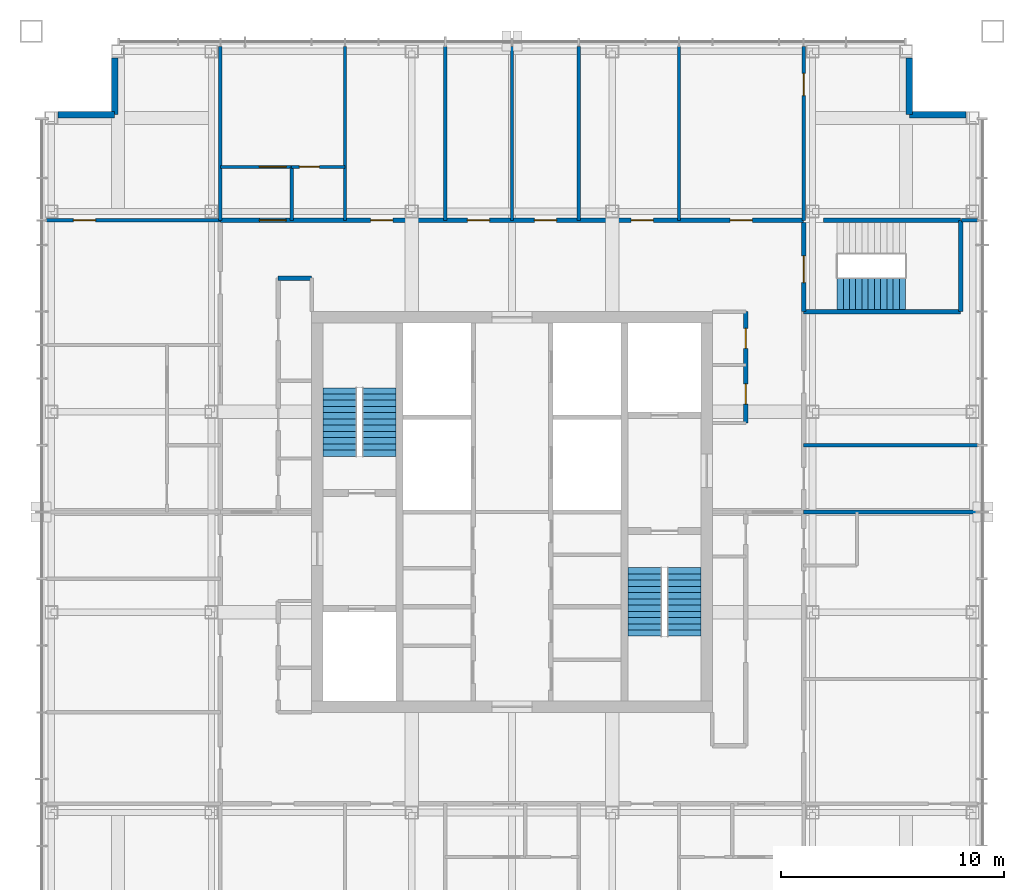
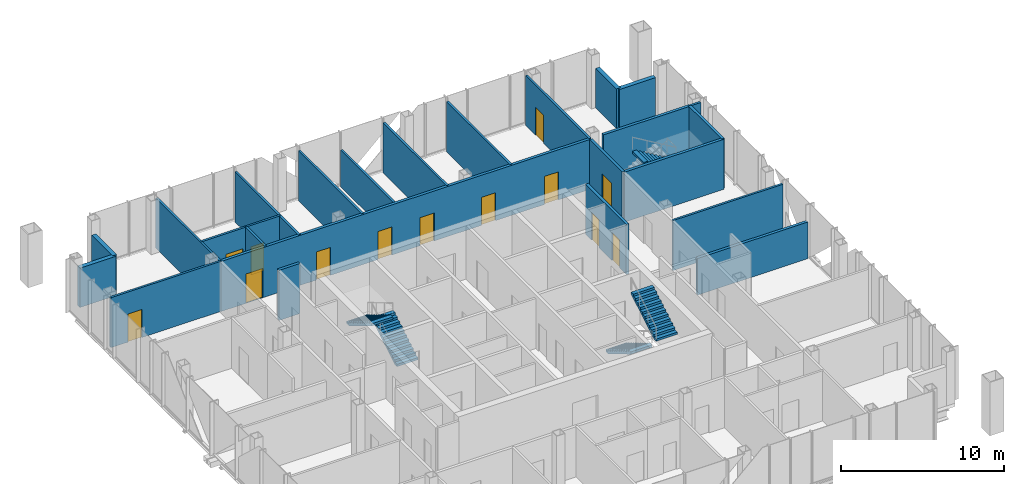
# One storey, part 10 of 12: 25 walls, 13 doors, 5 stair flights, 13 openings, 3 elements without a shape of their own.
"""IFC4 building model written with IfcOpenShell, lengths in metres."""

from ifc_helpers import new_model, si_unit, direction, frame, frame_2d, origin, place, context, subcontext, project, spatial, polyline, rectangle, outline, extrude, material, layer, layer_set, type_object, element, fill, aggregate, save


model = new_model("IFC4")

# Units and contexts
model_context = context("Model", 3, precision=1e-05, world=origin(), true_north=direction((0.0, 1.0)))
body_context = subcontext(model_context, "Body", "Model", "MODEL_VIEW")
ifc_project = project(units=[si_unit("LENGTHUNIT", "METRE"), si_unit("AREAUNIT", "SQUARE_METRE"), si_unit("VOLUMEUNIT", "CUBIC_METRE"), si_unit("PLANEANGLEUNIT", "RADIAN"), si_unit("MASSUNIT", "GRAM", prefix="KILO")], contexts=[model_context])

# Site, building, storey
site_placement = place(None, origin())
site = spatial("IfcSite", under=ifc_project, at=site_placement, CompositionType="ELEMENT")
building_placement = place(site_placement, origin())
building = spatial("IfcBuilding", under=site, at=building_placement, Name="Malebo Sky Hospital", CompositionType="ELEMENT")
storey_placement = place(building_placement, frame((0.0, 0.0, 270.0)))
storey = spatial("IfcBuildingStorey", under=building, at=storey_placement, Name="L65", CompositionType="ELEMENT", Elevation=270.0)

# Wall, openings, doors
ifc_material_1 = material(Name="Gypsum board on steel studs", Category="steel")
ifc_layer_1 = layer(ifc_material_1, 0.199951171875)
ifc_layer_set_1 = layer_set([ifc_layer_1], Name="CORRIDOR WALL 200")
wall_type_1 = type_object("IfcWallType", Name="CORRIDOR WALL 200", PredefinedType="PARTITIONING", material=ifc_layer_set_1)
wall_1_placement = place(storey_placement, frame((46.89990234375, 75.10009765625, 0.0), z_axis=(0.0, 0.0, 1.0), x_axis=(1.0, 0.0, 0.0)))
wall_1 = element("IfcWall", 1, at=wall_1_placement, inside=storey, type_object=wall_type_1, Name="Corridor Wall 200 NCO", PredefinedType="PARTITIONING", context=body_context, shape_type="SweptSolid", body=[
    extrude(rectangle(XDim=26.2001953125, YDim=0.199951171875, at=frame_2d((13.10009765625, 0.0))), origin(), (0.0, 0.0, 1.0), 3.75),
])
opening_1_placement = place(wall_1_placement, frame((1.75, 0.0, 0.0)))
opening_1 = element("IfcOpeningElement", 2, at=opening_1_placement, cuts=wall_1, Name="Opening D18", PredefinedType="OPENING", context=body_context, shape_type="SweptSolid", body=[
    extrude(rectangle(XDim=1.199951171875, YDim=2.199951171875, at=frame_2d((0.60009765625, 1.10009765625))), frame((0.0, 0.10986328125, 0.0), z_axis=(0.0, -1.0, 0.0), x_axis=(1.0, 0.0, 0.0)), (0.0, 0.0, 1.0), 0.219970703125),
])
opening_2_placement = place(wall_1_placement, frame((6.75, 0.0, 0.0)))
opening_2 = element("IfcOpeningElement", 3, at=opening_2_placement, cuts=wall_1, Name="Opening D03", PredefinedType="OPENING", context=body_context, shape_type="SweptSolid", body=[
    extrude(rectangle(XDim=1.0, YDim=2.10009765625, at=frame_2d((0.5, 1.050048828125))), frame((0.0, 0.10986328125, 0.0), z_axis=(0.0, -1.0, 0.0), x_axis=(1.0, 0.0, 0.0)), (0.0, 0.0, 1.0), 0.219970703125),
])
opening_3_placement = place(wall_1_placement, frame((11.10009765625, 0.0, 0.0)))
opening_3 = element("IfcOpeningElement", 4, at=opening_3_placement, cuts=wall_1, Name="Opening D03", PredefinedType="OPENING", context=body_context, shape_type="SweptSolid", body=[
    extrude(rectangle(XDim=1.0, YDim=2.10009765625, at=frame_2d((0.5, 1.050048828125))), frame((0.0, 0.10986328125, 0.0), z_axis=(0.0, -1.0, 0.0), x_axis=(1.0, 0.0, 0.0)), (0.0, 0.0, 1.0), 0.219970703125),
])
opening_4_placement = place(wall_1_placement, frame((14.10009765625, 0.0, 0.0)))
opening_4 = element("IfcOpeningElement", 5, at=opening_4_placement, cuts=wall_1, Name="Opening D03", PredefinedType="OPENING", context=body_context, shape_type="SweptSolid", body=[
    extrude(rectangle(XDim=1.0, YDim=2.10009765625, at=frame_2d((0.5, 1.050048828125))), frame((0.0, 0.10986328125, 0.0), z_axis=(0.0, -1.0, 0.0), x_axis=(1.0, 0.0, 0.0)), (0.0, 0.0, 1.0), 0.219970703125),
])
opening_5_placement = place(wall_1_placement, frame((18.449951171875, 0.0, 0.0)))
opening_5 = element("IfcOpeningElement", 6, at=opening_5_placement, cuts=wall_1, Name="Opening D03", PredefinedType="OPENING", context=body_context, shape_type="SweptSolid", body=[
    extrude(rectangle(XDim=1.0, YDim=2.10009765625, at=frame_2d((0.5, 1.050048828125))), frame((0.0, 0.10986328125, 0.0), z_axis=(0.0, -1.0, 0.0), x_axis=(1.0, 0.0, 0.0)), (0.0, 0.0, 1.0), 0.219970703125),
])
opening_6_placement = place(wall_1_placement, frame((22.89990234375, 0.0, 0.0)))
opening_6 = element("IfcOpeningElement", 7, at=opening_6_placement, cuts=wall_1, Name="Opening D03", PredefinedType="OPENING", context=body_context, shape_type="SweptSolid", body=[
    extrude(rectangle(XDim=1.0, YDim=2.10009765625, at=frame_2d((0.5, 1.050048828125))), frame((0.0, 0.10986328125, 0.0), z_axis=(0.0, -1.0, 0.0), x_axis=(1.0, 0.0, 0.0)), (0.0, 0.0, 1.0), 0.219970703125),
])
ifc_material_2 = material(Name="Hardwood-faced door leaf in steel frame", Category="steel")
door_type_1 = type_object("IfcDoorType", Name="ANTEROOM DOOR 1200", OperationType="SINGLE_SWING_LEFT", PredefinedType="DOOR", material=ifc_material_2)
door_1_placement = place(opening_1_placement, origin())
door_1 = element("IfcDoor", 8, at=door_1_placement, inside=storey, type_object=door_type_1, Name="Anteroom door", OperationType="SINGLE_SWING_RIGHT", OverallHeight=2.199951171875, OverallWidth=1.199951171875, PredefinedType="DOOR", context=body_context, shape_type="SweptSolid", body=[
    extrude(rectangle(XDim=1.199951171875, YDim=2.199951171875, at=frame_2d((0.60009765625, 1.10009765625))), frame((0.0, 0.02490234375, 0.0), z_axis=(0.0, -1.0, 0.0), x_axis=(1.0, 0.0, 0.0)), (0.0, 0.0, 1.0), 0.050048828125),
])
fill(opening_1, door_1)
door_type_2 = type_object("IfcDoorType", Name="ROOM DOOR 1000", OperationType="SINGLE_SWING_LEFT", PredefinedType="DOOR", material=ifc_material_2)
door_2_placement = place(opening_2_placement, origin())
door_2 = element("IfcDoor", 9, at=door_2_placement, inside=storey, type_object=door_type_2, Name="Nurse station door", OperationType="SINGLE_SWING_LEFT", OverallHeight=2.10009765625, OverallWidth=1.0, PredefinedType="DOOR", context=body_context, shape_type="SweptSolid", body=[
    extrude(rectangle(XDim=1.0, YDim=2.10009765625, at=frame_2d((0.5, 1.050048828125))), frame((0.0, 0.02490234375, 0.0), z_axis=(0.0, -1.0, 0.0), x_axis=(1.0, 0.0, 0.0)), (0.0, 0.0, 1.0), 0.050048828125),
])
fill(opening_2, door_2)
door_3_placement = place(opening_3_placement, origin())
door_3 = element("IfcDoor", 10, at=door_3_placement, inside=storey, type_object=door_type_2, Name="Clean utility room door", OperationType="SINGLE_SWING_LEFT", OverallHeight=2.10009765625, OverallWidth=1.0, PredefinedType="DOOR", context=body_context, shape_type="SweptSolid", body=[
    extrude(rectangle(XDim=1.0, YDim=2.10009765625, at=frame_2d((0.5, 1.050048828125))), frame((0.0, 0.02490234375, 0.0), z_axis=(0.0, -1.0, 0.0), x_axis=(1.0, 0.0, 0.0)), (0.0, 0.0, 1.0), 0.050048828125),
])
fill(opening_3, door_3)
door_4_placement = place(opening_4_placement, origin())
door_4 = element("IfcDoor", 11, at=door_4_placement, inside=storey, type_object=door_type_2, Name="Medication room door", OperationType="SINGLE_SWING_LEFT", OverallHeight=2.10009765625, OverallWidth=1.0, PredefinedType="DOOR", context=body_context, shape_type="SweptSolid", body=[
    extrude(rectangle(XDim=1.0, YDim=2.10009765625, at=frame_2d((0.5, 1.050048828125))), frame((0.0, 0.02490234375, 0.0), z_axis=(0.0, -1.0, 0.0), x_axis=(1.0, 0.0, 0.0)), (0.0, 0.0, 1.0), 0.050048828125),
])
fill(opening_4, door_4)
door_5_placement = place(opening_5_placement, origin())
door_5 = element("IfcDoor", 12, at=door_5_placement, inside=storey, type_object=door_type_2, Name="Treatment room door", OperationType="SINGLE_SWING_RIGHT", OverallHeight=2.10009765625, OverallWidth=1.0, PredefinedType="DOOR", context=body_context, shape_type="SweptSolid", body=[
    extrude(rectangle(XDim=1.0, YDim=2.10009765625, at=frame_2d((0.5, 1.050048828125))), frame((0.0, 0.02490234375, 0.0), z_axis=(0.0, -1.0, 0.0), x_axis=(1.0, 0.0, 0.0)), (0.0, 0.0, 1.0), 0.050048828125),
])
fill(opening_5, door_5)
door_6_placement = place(opening_6_placement, origin())
door_6 = element("IfcDoor", 13, at=door_6_placement, inside=storey, type_object=door_type_2, Name="Exercise room door", OperationType="SINGLE_SWING_RIGHT", OverallHeight=2.10009765625, OverallWidth=1.0, PredefinedType="DOOR", context=body_context, shape_type="SweptSolid", body=[
    extrude(rectangle(XDim=1.0, YDim=2.10009765625, at=frame_2d((0.5, 1.050048828125))), frame((0.0, 0.02490234375, 0.0), z_axis=(0.0, -1.0, 0.0), x_axis=(1.0, 0.0, 0.0)), (0.0, 0.0, 1.0), 0.050048828125),
])
fill(opening_6, door_6)

# Wall
wall_2_placement = place(storey_placement, frame((49.5, 72.5, 0.0), z_axis=(0.0, 0.0, 1.0), x_axis=(1.0, 0.0, 0.0)))
element("IfcWall", 14, at=wall_2_placement, inside=storey, type_object=wall_type_1, Name="Corridor Wall 200 NCIK", PredefinedType="PARTITIONING", context=body_context, shape_type="SweptSolid", body=[
    extrude(rectangle(XDim=1.5, YDim=0.199951171875, at=frame_2d((0.75, 0.0))), origin(), (0.0, 0.0, 1.0), 3.75),
])

# Wall, openings, doors
wall_3_placement = place(storey_placement, frame((70.5, 71.0, 0.0), z_axis=(0.0, 0.0, 1.0), x_axis=(0.0, -1.0, 0.0)))
wall_3 = element("IfcWall", 15, at=wall_3_placement, inside=storey, type_object=wall_type_1, Name="Corridor Wall 200 ECI1", PredefinedType="PARTITIONING", context=body_context, shape_type="SweptSolid", body=[
    extrude(rectangle(XDim=5.0, YDim=0.199951171875, at=frame_2d((2.5, 0.0))), origin(), (0.0, 0.0, 1.0), 3.75),
])
opening_7_placement = place(wall_3_placement, frame((0.75, 0.0, 0.0)))
opening_7 = element("IfcOpeningElement", 16, at=opening_7_placement, cuts=wall_3, Name="Opening D04", PredefinedType="OPENING", context=body_context, shape_type="SweptSolid", body=[
    extrude(rectangle(XDim=0.89990234375, YDim=2.10009765625, at=frame_2d((0.449951171875, 1.050048828125))), frame((0.0, 0.10986328125, 0.0), z_axis=(0.0, -1.0, 0.0), x_axis=(1.0, 0.0, 0.0)), (0.0, 0.0, 1.0), 0.219970703125),
])
opening_8_placement = place(wall_3_placement, frame((3.25, 0.0, 0.0)))
opening_8 = element("IfcOpeningElement", 17, at=opening_8_placement, cuts=wall_3, Name="Opening D04", PredefinedType="OPENING", context=body_context, shape_type="SweptSolid", body=[
    extrude(rectangle(XDim=0.89990234375, YDim=2.10009765625, at=frame_2d((0.449951171875, 1.050048828125))), frame((0.0, 0.10986328125, 0.0), z_axis=(0.0, -1.0, 0.0), x_axis=(1.0, 0.0, 0.0)), (0.0, 0.0, 1.0), 0.219970703125),
])
door_type_3 = type_object("IfcDoorType", Name="ROOM DOOR 900", OperationType="SINGLE_SWING_LEFT", PredefinedType="DOOR", material=ifc_material_2)
door_7_placement = place(opening_7_placement, origin())
door_7 = element("IfcDoor", 18, at=door_7_placement, inside=storey, type_object=door_type_3, Name="Communications room door", OperationType="SINGLE_SWING_LEFT", OverallHeight=2.10009765625, OverallWidth=0.89990234375, PredefinedType="DOOR", context=body_context, shape_type="SweptSolid", body=[
    extrude(rectangle(XDim=0.89990234375, YDim=2.10009765625, at=frame_2d((0.449951171875, 1.050048828125))), frame((0.0, 0.02490234375, 0.0), z_axis=(0.0, -1.0, 0.0), x_axis=(1.0, 0.0, 0.0)), (0.0, 0.0, 1.0), 0.050048828125),
])
fill(opening_7, door_7)
door_8_placement = place(opening_8_placement, origin())
door_8 = element("IfcDoor", 19, at=door_8_placement, inside=storey, type_object=door_type_3, Name="Gowning store door", OperationType="SINGLE_SWING_LEFT", OverallHeight=2.10009765625, OverallWidth=0.89990234375, PredefinedType="DOOR", context=body_context, shape_type="SweptSolid", body=[
    extrude(rectangle(XDim=0.89990234375, YDim=2.10009765625, at=frame_2d((0.449951171875, 1.050048828125))), frame((0.0, 0.02490234375, 0.0), z_axis=(0.0, -1.0, 0.0), x_axis=(1.0, 0.0, 0.0)), (0.0, 0.0, 1.0), 0.050048828125),
])
fill(opening_8, door_8)

# Walls
ifc_material_3 = material(Name="Anodised aluminium rainscreen on steel framing", Category="steel")
ifc_layer_2 = layer(ifc_material_3, 0.300048828125)
ifc_layer_set_2 = layer_set([ifc_layer_2], Name="NOTCH RAINSCREEN WALL 300")
wall_type_2 = type_object("IfcWallType", Name="NOTCH RAINSCREEN WALL 300", PredefinedType="ELEMENTEDWALL", material=ifc_layer_set_2)
for number, where, z_axis, x_axis, name in (
    (20, (77.85009765625, 82.39990234375, 0.0), (0.0, 0.0, 1.0), (0.0, -1.0, 0.0), "Notch rainscreen wall N1 L65"),
    (21, (77.85009765625, 79.85009765625, 0.0), (0.0, 0.0, 1.0), (1.0, 0.0, 0.0), "Notch rainscreen wall N2 L65"),
    (22, (39.60009765625, 79.85009765625, 0.0), (0.0, 0.0, 1.0), (1.0, 0.0, 0.0), "Notch rainscreen wall W1 L65"),
    (23, (42.14990234375, 79.85009765625, 0.0), (0.0, 0.0, 1.0), (0.0, 1.0, 0.0), "Notch rainscreen wall W2 L65"),
):
    element("IfcWall", number, at=place(storey_placement, frame(where, z_axis=z_axis, x_axis=x_axis)), inside=storey, type_object=wall_type_2, Name=name, PredefinedType="ELEMENTEDWALL", context=body_context, shape_type="SweptSolid", body=[
        extrude(rectangle(XDim=2.5498046875, YDim=0.300048828125, at=frame_2d((1.27490234375, 0.0))), origin(), (0.0, 0.0, 1.0), 2.949951171875),
    ])
ifc_layer_3 = layer(ifc_material_1, 0.14990234375)
ifc_layer_set_3 = layer_set([ifc_layer_3], Name="PARTITION 150")
wall_type_3 = type_object("IfcWallType", Name="PARTITION 150", PredefinedType="PARTITIONING", material=ifc_layer_set_3)
for number, where, z_axis, x_axis, name in (
    (24, (52.5, 75.10009765625, 0.0), (0.0, 0.0, 1.0), (0.0, 1.0, 0.0), "Partition 150 NP-7.5"),
    (25, (57.0, 75.10009765625, 0.0), (0.0, 0.0, 1.0), (0.0, 1.0, 0.0), "Partition 150 NP-3.0"),
):
    element("IfcWall", number, at=place(storey_placement, frame(where, z_axis=z_axis, x_axis=x_axis)), inside=storey, type_object=wall_type_3, Name=name, PredefinedType="PARTITIONING", context=body_context, shape_type="SweptSolid", body=[
        extrude(rectangle(XDim=7.7998046875, YDim=0.14990234375, at=frame_2d((3.89990234375, 0.0))), origin(), (0.0, 0.0, 1.0), 3.75),
    ])
wall_4_placement = place(storey_placement, frame((60.0, 75.10009765625, 0.0), z_axis=(0.0, 0.0, 1.0), x_axis=(0.0, 1.0, 0.0)))
element("IfcWall", 26, at=wall_4_placement, inside=storey, type_object=wall_type_3, Name="Partition 150 NP+0.0", PredefinedType="PARTITIONING", context=body_context, shape_type="SweptSolid", body=[
    extrude(rectangle(XDim=7.7998046875, YDim=0.14990234375, at=frame_2d((3.89990234375, 0.0))), origin(), (0.0, 0.0, 1.0), 2.75),
])
for number, where, z_axis, x_axis, name in (
    (27, (63.0, 75.10009765625, 0.0), (0.0, 0.0, 1.0), (0.0, 1.0, 0.0), "Partition 150 NP+3.0"),
    (28, (67.5, 75.10009765625, 0.0), (0.0, 0.0, 1.0), (0.0, 1.0, 0.0), "Partition 150 NP+7.5"),
    (29, (46.89990234375, 75.10009765625, 0.0), (0.0, 0.0, 1.0), (0.0, 1.0, 0.0), "Partition 150 NP0"),
):
    element("IfcWall", number, at=place(storey_placement, frame(where, z_axis=z_axis, x_axis=x_axis)), inside=storey, type_object=wall_type_3, Name=name, PredefinedType="PARTITIONING", context=body_context, shape_type="SweptSolid", body=[
        extrude(rectangle(XDim=7.7998046875, YDim=0.14990234375, at=frame_2d((3.89990234375, 0.0))), origin(), (0.0, 0.0, 1.0), 3.75),
    ])

# Wall, opening, door
wall_5_placement = place(storey_placement, frame((50.10009765625, 77.5, 0.0), z_axis=(0.0, 0.0, 1.0), x_axis=(1.0, 0.0, 0.0)))
wall_5 = element("IfcWall", 30, at=wall_5_placement, inside=storey, type_object=wall_type_3, Name="Partition 150 NE0F", PredefinedType="PARTITIONING", context=body_context, shape_type="SweptSolid", body=[
    extrude(rectangle(XDim=2.39990234375, YDim=0.14990234375, at=frame_2d((1.199951171875, 0.0))), origin(), (0.0, 0.0, 1.0), 3.75),
])
opening_9_placement = place(wall_5_placement, frame((0.35009765625, 0.0, 0.0)))
opening_9 = element("IfcOpeningElement", 31, at=opening_9_placement, cuts=wall_5, Name="Opening D02", PredefinedType="OPENING", context=body_context, shape_type="SweptSolid", body=[
    extrude(rectangle(XDim=0.89990234375, YDim=2.10009765625, at=frame_2d((0.449951171875, 1.050048828125))), frame((0.0, 0.0849609375, 0.0), z_axis=(0.0, -1.0, 0.0), x_axis=(1.0, 0.0, 0.0)), (0.0, 0.0, 1.0), 0.169921875),
])
door_type_4 = type_object("IfcDoorType", Name="EN-SUITE DOOR 900", OperationType="SINGLE_SWING_LEFT", PredefinedType="DOOR", material=ifc_material_2)
door_9_placement = place(opening_9_placement, origin())
door_9 = element("IfcDoor", 32, at=door_9_placement, inside=storey, type_object=door_type_4, Name="En-suite door", OperationType="SINGLE_SWING_LEFT", OverallHeight=2.10009765625, OverallWidth=0.89990234375, PredefinedType="DOOR", context=body_context, shape_type="SweptSolid", body=[
    extrude(rectangle(XDim=0.89990234375, YDim=2.10009765625, at=frame_2d((0.449951171875, 1.050048828125))), frame((0.0, 0.02490234375, 0.0), z_axis=(0.0, -1.0, 0.0), x_axis=(1.0, 0.0, 0.0)), (0.0, 0.0, 1.0), 0.050048828125),
])
fill(opening_9, door_9)

# Wall
wall_6_placement = place(storey_placement, frame((50.10009765625, 75.10009765625, 0.0), z_axis=(0.0, 0.0, 1.0), x_axis=(0.0, 1.0, 0.0)))
element("IfcWall", 33, at=wall_6_placement, inside=storey, type_object=wall_type_3, Name="Partition 150 NE0S", PredefinedType="PARTITIONING", context=body_context, shape_type="SweptSolid", body=[
    extrude(rectangle(XDim=2.39990234375, YDim=0.14990234375, at=frame_2d((1.199951171875, 0.0))), origin(), (0.0, 0.0, 1.0), 3.75),
])

# Wall, opening, door
wall_7_placement = place(storey_placement, frame((73.10009765625, 75.10009765625, 0.0), z_axis=(0.0, 0.0, 1.0), x_axis=(0.0, 1.0, 0.0)))
wall_7 = element("IfcWall", 34, at=wall_7_placement, inside=storey, type_object=wall_type_3, Name="Partition 150 NK", PredefinedType="PARTITIONING", context=body_context, shape_type="SweptSolid", body=[
    extrude(rectangle(XDim=7.7998046875, YDim=0.14990234375, at=frame_2d((3.89990234375, 0.0))), origin(), (0.0, 0.0, 1.0), 3.75),
])
opening_10_placement = place(wall_7_placement, frame((5.60009765625, 0.0, 0.0)))
opening_10 = element("IfcOpeningElement", 35, at=opening_10_placement, cuts=wall_7, Name="Opening D03", PredefinedType="OPENING", context=body_context, shape_type="SweptSolid", body=[
    extrude(rectangle(XDim=1.0, YDim=2.10009765625, at=frame_2d((0.5, 1.050048828125))), frame((0.0, 0.0849609375, 0.0), z_axis=(0.0, -1.0, 0.0), x_axis=(1.0, 0.0, 0.0)), (0.0, 0.0, 1.0), 0.169921875),
])
door_10_placement = place(opening_10_placement, origin())
door_10 = element("IfcDoor", 36, at=door_10_placement, inside=storey, type_object=door_type_2, Name="Relaxation room door", OperationType="SINGLE_SWING_RIGHT", OverallHeight=2.10009765625, OverallWidth=1.0, PredefinedType="DOOR", context=body_context, shape_type="SweptSolid", body=[
    extrude(rectangle(XDim=1.0, YDim=2.10009765625, at=frame_2d((0.5, 1.050048828125))), frame((0.0, 0.02490234375, 0.0), z_axis=(0.0, -1.0, 0.0), x_axis=(1.0, 0.0, 0.0)), (0.0, 0.0, 1.0), 0.050048828125),
])
fill(opening_10, door_10)

wall_8_placement = place(storey_placement, frame((46.89990234375, 75.10009765625, 0.0), z_axis=(0.0, 0.0, 1.0), x_axis=(-1.0, 0.0, 0.0)))
wall_8 = element("IfcWall", 37, at=wall_8_placement, inside=storey, type_object=wall_type_3, Name="Partition 150 WK", PredefinedType="PARTITIONING", context=body_context, shape_type="SweptSolid", body=[
    extrude(rectangle(XDim=7.7998046875, YDim=0.14990234375, at=frame_2d((3.89990234375, 0.0))), origin(), (0.0, 0.0, 1.0), 3.75),
])
opening_11_placement = place(wall_8_placement, frame((5.60009765625, 0.0, 0.0)))
opening_11 = element("IfcOpeningElement", 38, at=opening_11_placement, cuts=wall_8, Name="Opening D03", PredefinedType="OPENING", context=body_context, shape_type="SweptSolid", body=[
    extrude(rectangle(XDim=1.0, YDim=2.10009765625, at=frame_2d((0.5, 1.050048828125))), frame((0.0, 0.0849609375, 0.0), z_axis=(0.0, -1.0, 0.0), x_axis=(1.0, 0.0, 0.0)), (0.0, 0.0, 1.0), 0.169921875),
])
door_11_placement = place(opening_11_placement, origin())
door_11 = element("IfcDoor", 39, at=door_11_placement, inside=storey, type_object=door_type_2, Name="Family kitchen door", OperationType="SINGLE_SWING_RIGHT", OverallHeight=2.10009765625, OverallWidth=1.0, PredefinedType="DOOR", context=body_context, shape_type="SweptSolid", body=[
    extrude(rectangle(XDim=1.0, YDim=2.10009765625, at=frame_2d((0.5, 1.050048828125))), frame((0.0, 0.02490234375, 0.0), z_axis=(0.0, -1.0, 0.0), x_axis=(1.0, 0.0, 0.0)), (0.0, 0.0, 1.0), 0.050048828125),
])
fill(opening_11, door_11)

# Walls
wall_9_placement = place(storey_placement, frame((73.10009765625, 65.0, 0.0), z_axis=(0.0, 0.0, 1.0), x_axis=(1.0, 0.0, 0.0)))
element("IfcWall", 40, at=wall_9_placement, inside=storey, type_object=wall_type_3, Name="Partition 150 EP-3.0", PredefinedType="PARTITIONING", context=body_context, shape_type="SweptSolid", body=[
    extrude(rectangle(XDim=7.7998046875, YDim=0.14990234375, at=frame_2d((3.89990234375, 0.0))), origin(), (0.0, 0.0, 1.0), 3.75),
])
wall_10_placement = place(storey_placement, frame((80.199951171875, 75.10009765625, 0.0), z_axis=(0.0, 0.0, 1.0), x_axis=(1.0, 0.0, 0.0)))
element("IfcWall", 41, at=wall_10_placement, inside=storey, type_object=wall_type_3, Name="Partition 150 EP0", PredefinedType="PARTITIONING", context=body_context, shape_type="SweptSolid", body=[
    extrude(rectangle(XDim=0.699951171875, YDim=0.14990234375, at=frame_2d((0.35009765625, 0.0))), origin(), (0.0, 0.0, 1.0), 3.75),
])

# Wall, opening, door
ifc_material_4 = material(Name="Sealed gypsum board on steel studs, taped to the slab", Category="steel")
ifc_layer_4 = layer(ifc_material_4, 0.14990234375)
ifc_layer_set_4 = layer_set([ifc_layer_4], Name="SEALED ISOLATION PARTITION 150")
wall_type_4 = type_object("IfcWallType", Name="SEALED ISOLATION PARTITION 150", PredefinedType="PARTITIONING", material=ifc_layer_set_4)
wall_11_placement = place(storey_placement, frame((46.89990234375, 77.5, 0.0), z_axis=(0.0, 0.0, 1.0), x_axis=(1.0, 0.0, 0.0)))
wall_11 = element("IfcWall", 42, at=wall_11_placement, inside=storey, type_object=wall_type_4, Name="Sealed Isolation Partition 150 NA0F", PredefinedType="PARTITIONING", context=body_context, shape_type="SweptSolid", body=[
    extrude(rectangle(XDim=3.2001953125, YDim=0.14990234375, at=frame_2d((1.60009765625, 0.0))), origin(), (0.0, 0.0, 1.0), 3.75),
])
opening_12_placement = place(wall_11_placement, frame((1.75, 0.0, 0.0)))
opening_12 = element("IfcOpeningElement", 43, at=opening_12_placement, cuts=wall_11, Name="Opening D19", PredefinedType="OPENING", context=body_context, shape_type="SweptSolid", body=[
    extrude(rectangle(XDim=1.199951171875, YDim=2.199951171875, at=frame_2d((0.60009765625, 1.10009765625))), frame((0.0, 0.0849609375, 0.0), z_axis=(0.0, -1.0, 0.0), x_axis=(1.0, 0.0, 0.0)), (0.0, 0.0, 1.0), 0.169921875),
])
ifc_material_5 = material(Name="Hardwood-faced door leaf with perimeter seals in steel frame", Category="steel")
door_type_5 = type_object("IfcDoorType", Name="SEALED ISOLATION ROOM DOOR 1200", OperationType="SINGLE_SWING_LEFT", PredefinedType="DOOR", material=ifc_material_5)
door_12_placement = place(opening_12_placement, origin())
door_12 = element("IfcDoor", 44, at=door_12_placement, inside=storey, type_object=door_type_5, Name="Isolation room door", OperationType="SINGLE_SWING_RIGHT", OverallHeight=2.199951171875, OverallWidth=1.199951171875, PredefinedType="DOOR", context=body_context, shape_type="SweptSolid", body=[
    extrude(rectangle(XDim=1.199951171875, YDim=2.199951171875, at=frame_2d((0.60009765625, 1.10009765625))), frame((0.0, 0.02490234375, 0.0), z_axis=(0.0, -1.0, 0.0), x_axis=(1.0, 0.0, 0.0)), (0.0, 0.0, 1.0), 0.050048828125),
])
fill(opening_12, door_12)

# Wall
ifc_material_6 = material(Name="Concrete blockwork", Category="masonry")
ifc_layer_5 = layer(ifc_material_6, 0.199951171875)
ifc_layer_set_5 = layer_set([ifc_layer_5], Name="SMOKE BARRIER WALL 200")
wall_type_5 = type_object("IfcWallType", Name="SMOKE BARRIER WALL 200", PredefinedType="SOLIDWALL", material=ifc_layer_set_5)
wall_12_placement = place(storey_placement, frame((73.10009765625, 62.0, 0.0), z_axis=(0.0, 0.0, 1.0), x_axis=(1.0, 0.0, 0.0)))
element("IfcWall", 45, at=wall_12_placement, inside=storey, type_object=wall_type_5, Name="Smoke Barrier Wall 200 EP+0.0", PredefinedType="SOLIDWALL", context=body_context, shape_type="SweptSolid", body=[
    extrude(rectangle(XDim=7.7998046875, YDim=0.199951171875, at=frame_2d((3.89990234375, 0.0))), origin(), (0.0, 0.0, 1.0), 2.75),
])

# Wall, opening, door
ifc_material_7 = material(Name="Concrete C40/50", Category="concrete")
ifc_layer_6 = layer(ifc_material_7, 0.199951171875)
ifc_layer_set_6 = layer_set([ifc_layer_6], Name="STAIR ENCLOSURE WALL 200")
wall_type_6 = type_object("IfcWallType", Name="STAIR ENCLOSURE WALL 200", PredefinedType="SOLIDWALL", material=ifc_layer_set_6)
wall_13_placement = place(storey_placement, frame((73.10009765625, 75.0, 0.0), z_axis=(0.0, 0.0, 1.0), x_axis=(0.0, -1.0, 0.0)))
wall_13 = element("IfcWall", 46, at=wall_13_placement, inside=storey, type_object=wall_type_6, Name="Stair Enclosure Wall 200 ST3W", PredefinedType="SOLIDWALL", context=body_context, shape_type="SweptSolid", body=[
    extrude(rectangle(XDim=4.0, YDim=0.199951171875, at=frame_2d((2.0, 0.0))), origin(), (0.0, 0.0, 1.0), 3.75),
])
opening_13_placement = place(wall_13_placement, frame((1.5, 0.0, 0.0)))
opening_13 = element("IfcOpeningElement", 47, at=opening_13_placement, cuts=wall_13, Name="Opening D08", PredefinedType="OPENING", context=body_context, shape_type="SweptSolid", body=[
    extrude(rectangle(XDim=1.199951171875, YDim=2.10009765625, at=frame_2d((0.60009765625, 1.050048828125))), frame((0.0, 0.10986328125, 0.0), z_axis=(0.0, -1.0, 0.0), x_axis=(1.0, 0.0, 0.0)), (0.0, 0.0, 1.0), 0.219970703125),
])
door_type_6 = type_object("IfcDoorType", Name="STAIR DOOR 1200", OperationType="SINGLE_SWING_LEFT", PredefinedType="DOOR", material=ifc_material_2)
door_13_placement = place(opening_13_placement, origin())
door_13 = element("IfcDoor", 48, at=door_13_placement, inside=storey, type_object=door_type_6, Name="Stair S3 door", OperationType="SINGLE_SWING_RIGHT", OverallHeight=2.10009765625, OverallWidth=1.199951171875, PredefinedType="DOOR", context=body_context, shape_type="SweptSolid", body=[
    extrude(rectangle(XDim=1.199951171875, YDim=2.10009765625, at=frame_2d((0.60009765625, 1.050048828125))), frame((0.0, 0.02490234375, 0.0), z_axis=(0.0, -1.0, 0.0), x_axis=(1.0, 0.0, 0.0)), (0.0, 0.0, 1.0), 0.050048828125),
])
fill(opening_13, door_13)

# Walls
wall_14_placement = place(storey_placement, frame((73.10009765625, 71.0, 0.0), z_axis=(0.0, 0.0, 1.0), x_axis=(1.0, 0.0, 0.0)))
element("IfcWall", 49, at=wall_14_placement, inside=storey, type_object=wall_type_6, Name="Stair Enclosure Wall 200 ST3S", PredefinedType="SOLIDWALL", context=body_context, shape_type="SweptSolid", body=[
    extrude(rectangle(XDim=7.0498046875, YDim=0.199951171875, at=frame_2d((3.52490234375, 0.0))), origin(), (0.0, 0.0, 1.0), 3.75),
])
wall_15_placement = place(storey_placement, frame((80.14990234375, 71.0, 0.0), z_axis=(0.0, 0.0, 1.0), x_axis=(0.0, 1.0, 0.0)))
element("IfcWall", 50, at=wall_15_placement, inside=storey, type_object=wall_type_6, Name="Stair Enclosure Wall 200 ST3EE", PredefinedType="SOLIDWALL", context=body_context, shape_type="SweptSolid", body=[
    extrude(rectangle(XDim=4.10009765625, YDim=0.199951171875, at=frame_2d((2.050048828125, 0.0))), origin(), (0.0, 0.0, 1.0), 3.75),
])
wall_16_placement = place(storey_placement, frame((74.0, 75.10009765625, 0.0), z_axis=(0.0, 0.0, 1.0), x_axis=(1.0, 0.0, 0.0)))
element("IfcWall", 51, at=wall_16_placement, inside=storey, type_object=wall_type_6, Name="Stair Enclosure Wall 200 ST3N", PredefinedType="SOLIDWALL", context=body_context, shape_type="SweptSolid", body=[
    extrude(rectangle(XDim=6.14990234375, YDim=0.199951171875, at=frame_2d((3.074951171875, 0.0))), origin(), (0.0, 0.0, 1.0), 3.75),
])

# Stair, stair flight
stair_type_1 = type_object("IfcStairType", Name="HALF-TURN STAIR 1400 R167", PredefinedType="HALF_TURN_STAIR", material=ifc_material_7)
stair_1_placement = place(storey_placement, origin())
stair_1 = element("IfcStair", 52, at=stair_1_placement, inside=storey, type_object=stair_type_1, Name="Stair S3 L65 type ST1B", PredefinedType="HALF_TURN_STAIR")
stair_flight_type_1 = type_object("IfcStairFlightType", Name="STAIR FLIGHT 1400 R167", PredefinedType="STRAIGHT", material=ifc_material_7)
stair_flight_1_placement = place(storey_placement, frame((77.679931640625, 71.800048828125, 2.0), z_axis=(0.0, 0.0, 1.0), x_axis=(-1.0, 0.0, 0.0)))
stair_flight_1 = element("IfcStairFlight", 53, at=stair_flight_1_placement, type_object=stair_flight_type_1, Name="S3 flight 2 type SF1B", NumberOfRisers=12, NumberOfTreads=11, PredefinedType="STRAIGHT", RiserHeight=0.166666667, TreadLength=0.28, context=body_context, shape_type="SweptSolid", body=[
    extrude(outline(polyline([(0.0, 0.0), (0.0, 0.166748046875), (0.280029296875, 0.166748046875), (0.280029296875, 0.333251953125), (0.56005859375, 0.333251953125), (0.56005859375, 0.5), (0.840087890625, 0.5), (0.840087890625, 0.666748046875), (1.1201171875, 0.666748046875), (1.1201171875, 0.833251953125), (1.39990234375, 0.833251953125), (1.39990234375, 1.0), (1.679931640625, 1.0), (1.679931640625, 1.166748046875), (1.9599609375, 1.166748046875), (1.9599609375, 1.333251953125), (2.239990234375, 1.333251953125), (2.239990234375, 1.5), (2.52001953125, 1.5), (2.52001953125, 1.666748046875), (2.800048828125, 1.666748046875), (2.800048828125, 1.833251953125), (3.080078125, 1.833251953125), (3.080078125, 2.0), (3.080078125, 1.658935546875), (0.29296875, 0.0), (0.0, 0.0)])), frame((0.0, 0.699951171875, 0.0), z_axis=(0.0, -1.0, 0.0), x_axis=(1.0, 0.0, 0.0)), (0.0, 0.0, 1.0), 1.39990234375),
])
aggregate(stair_1, [stair_flight_1])

# Stair, stair flights
stair_type_2 = type_object("IfcStairType", Name="HALF-TURN STAIR 1500 R167", PredefinedType="HALF_TURN_STAIR", material=ifc_material_7)
stair_2_placement = place(storey_placement, origin())
stair_2 = element("IfcStair", 54, at=stair_2_placement, inside=storey, type_object=stair_type_2, Name="Stair S1 L65 type ST1", PredefinedType="HALF_TURN_STAIR")
stair_flight_type_2 = type_object("IfcStairFlightType", Name="STAIR FLIGHT 1500 R167", PredefinedType="STRAIGHT", material=ifc_material_7)
stair_flight_2_placement = place(storey_placement, frame((54.050048828125, 64.5, 0.0), z_axis=(0.0, 0.0, 1.0), x_axis=(0.0, 1.0, 0.0)))
stair_flight_2 = element("IfcStairFlight", 55, at=stair_flight_2_placement, type_object=stair_flight_type_2, Name="S1 flight 1 type SF1", NumberOfRisers=12, NumberOfTreads=11, PredefinedType="STRAIGHT", RiserHeight=0.166666667, TreadLength=0.28, context=body_context, shape_type="SweptSolid", body=[
    extrude(outline(polyline([(0.0, 0.0), (0.0, 0.166748046875), (0.280029296875, 0.166748046875), (0.280029296875, 0.333251953125), (0.56005859375, 0.333251953125), (0.56005859375, 0.5), (0.840087890625, 0.5), (0.840087890625, 0.666748046875), (1.1201171875, 0.666748046875), (1.1201171875, 0.833251953125), (1.39990234375, 0.833251953125), (1.39990234375, 1.0), (1.679931640625, 1.0), (1.679931640625, 1.166748046875), (1.9599609375, 1.166748046875), (1.9599609375, 1.333251953125), (2.239990234375, 1.333251953125), (2.239990234375, 1.5), (2.52001953125, 1.5), (2.52001953125, 1.666748046875), (2.800048828125, 1.666748046875), (2.800048828125, 1.833251953125), (3.080078125, 1.833251953125), (3.080078125, 2.0), (3.080078125, 1.658935546875), (0.29296875, 0.0), (0.0, 0.0)])), frame((0.0, 0.75, 0.0), z_axis=(0.0, -1.0, 0.0), x_axis=(1.0, 0.0, 0.0)), (0.0, 0.0, 1.0), 1.5),
])
stair_flight_3_placement = place(storey_placement, frame((52.25, 67.580078125, 2.0), z_axis=(0.0, 0.0, 1.0), x_axis=(0.0, -1.0, 0.0)))
stair_flight_3 = element("IfcStairFlight", 56, at=stair_flight_3_placement, type_object=stair_flight_type_2, Name="S1 flight 2 type SF1", NumberOfRisers=12, NumberOfTreads=11, PredefinedType="STRAIGHT", RiserHeight=0.166666667, TreadLength=0.28, context=body_context, shape_type="SweptSolid", body=[
    extrude(outline(polyline([(0.0, 0.0), (0.0, 0.166748046875), (0.280029296875, 0.166748046875), (0.280029296875, 0.333251953125), (0.56005859375, 0.333251953125), (0.56005859375, 0.5), (0.840087890625, 0.5), (0.840087890625, 0.666748046875), (1.1201171875, 0.666748046875), (1.1201171875, 0.833251953125), (1.39990234375, 0.833251953125), (1.39990234375, 1.0), (1.679931640625, 1.0), (1.679931640625, 1.166748046875), (1.9599609375, 1.166748046875), (1.9599609375, 1.333251953125), (2.239990234375, 1.333251953125), (2.239990234375, 1.5), (2.52001953125, 1.5), (2.52001953125, 1.666748046875), (2.800048828125, 1.666748046875), (2.800048828125, 1.833251953125), (3.080078125, 1.833251953125), (3.080078125, 2.0), (3.080078125, 1.658935546875), (0.29296875, 0.0), (0.0, 0.0)])), frame((0.0, 0.75, 0.0), z_axis=(0.0, -1.0, 0.0), x_axis=(1.0, 0.0, 0.0)), (0.0, 0.0, 1.0), 1.5),
])
aggregate(stair_2, [stair_flight_2, stair_flight_3])

stair_3_placement = place(storey_placement, origin())
stair_3 = element("IfcStair", 57, at=stair_3_placement, inside=storey, type_object=stair_type_2, Name="Stair S2 L65 type ST1", PredefinedType="HALF_TURN_STAIR")
stair_flight_4_placement = place(storey_placement, frame((65.949951171875, 59.5, 0.0), z_axis=(0.0, 0.0, 1.0), x_axis=(0.0, -1.0, 0.0)))
stair_flight_4 = element("IfcStairFlight", 58, at=stair_flight_4_placement, type_object=stair_flight_type_2, Name="S2 flight 1 type SF1", NumberOfRisers=12, NumberOfTreads=11, PredefinedType="STRAIGHT", RiserHeight=0.166666667, TreadLength=0.28, context=body_context, shape_type="SweptSolid", body=[
    extrude(outline(polyline([(0.0, 0.0), (0.0, 0.166748046875), (0.280029296875, 0.166748046875), (0.280029296875, 0.333251953125), (0.56005859375, 0.333251953125), (0.56005859375, 0.5), (0.840087890625, 0.5), (0.840087890625, 0.666748046875), (1.1201171875, 0.666748046875), (1.1201171875, 0.833251953125), (1.39990234375, 0.833251953125), (1.39990234375, 1.0), (1.679931640625, 1.0), (1.679931640625, 1.166748046875), (1.9599609375, 1.166748046875), (1.9599609375, 1.333251953125), (2.239990234375, 1.333251953125), (2.239990234375, 1.5), (2.52001953125, 1.5), (2.52001953125, 1.666748046875), (2.800048828125, 1.666748046875), (2.800048828125, 1.833251953125), (3.080078125, 1.833251953125), (3.080078125, 2.0), (3.080078125, 1.658935546875), (0.29296875, 0.0), (0.0, 0.0)])), frame((0.0, 0.75, 0.0), z_axis=(0.0, -1.0, 0.0), x_axis=(1.0, 0.0, 0.0)), (0.0, 0.0, 1.0), 1.5),
])
stair_flight_5_placement = place(storey_placement, frame((67.75, 56.419921875, 2.0), z_axis=(0.0, 0.0, 1.0), x_axis=(0.0, 1.0, 0.0)))
stair_flight_5 = element("IfcStairFlight", 59, at=stair_flight_5_placement, type_object=stair_flight_type_2, Name="S2 flight 2 type SF1", NumberOfRisers=12, NumberOfTreads=11, PredefinedType="STRAIGHT", RiserHeight=0.166666667, TreadLength=0.28, context=body_context, shape_type="SweptSolid", body=[
    extrude(outline(polyline([(0.0, 0.0), (0.0, 0.166748046875), (0.280029296875, 0.166748046875), (0.280029296875, 0.333251953125), (0.56005859375, 0.333251953125), (0.56005859375, 0.5), (0.840087890625, 0.5), (0.840087890625, 0.666748046875), (1.1201171875, 0.666748046875), (1.1201171875, 0.833251953125), (1.39990234375, 0.833251953125), (1.39990234375, 1.0), (1.679931640625, 1.0), (1.679931640625, 1.166748046875), (1.9599609375, 1.166748046875), (1.9599609375, 1.333251953125), (2.239990234375, 1.333251953125), (2.239990234375, 1.5), (2.52001953125, 1.5), (2.52001953125, 1.666748046875), (2.800048828125, 1.666748046875), (2.800048828125, 1.833251953125), (3.080078125, 1.833251953125), (3.080078125, 2.0), (3.080078125, 1.658935546875), (0.29296875, 0.0), (0.0, 0.0)])), frame((0.0, 0.75, 0.0), z_axis=(0.0, -1.0, 0.0), x_axis=(1.0, 0.0, 0.0)), (0.0, 0.0, 1.0), 1.5),
])
aggregate(stair_3, [stair_flight_4, stair_flight_5])

save(model, "model.ifc")
